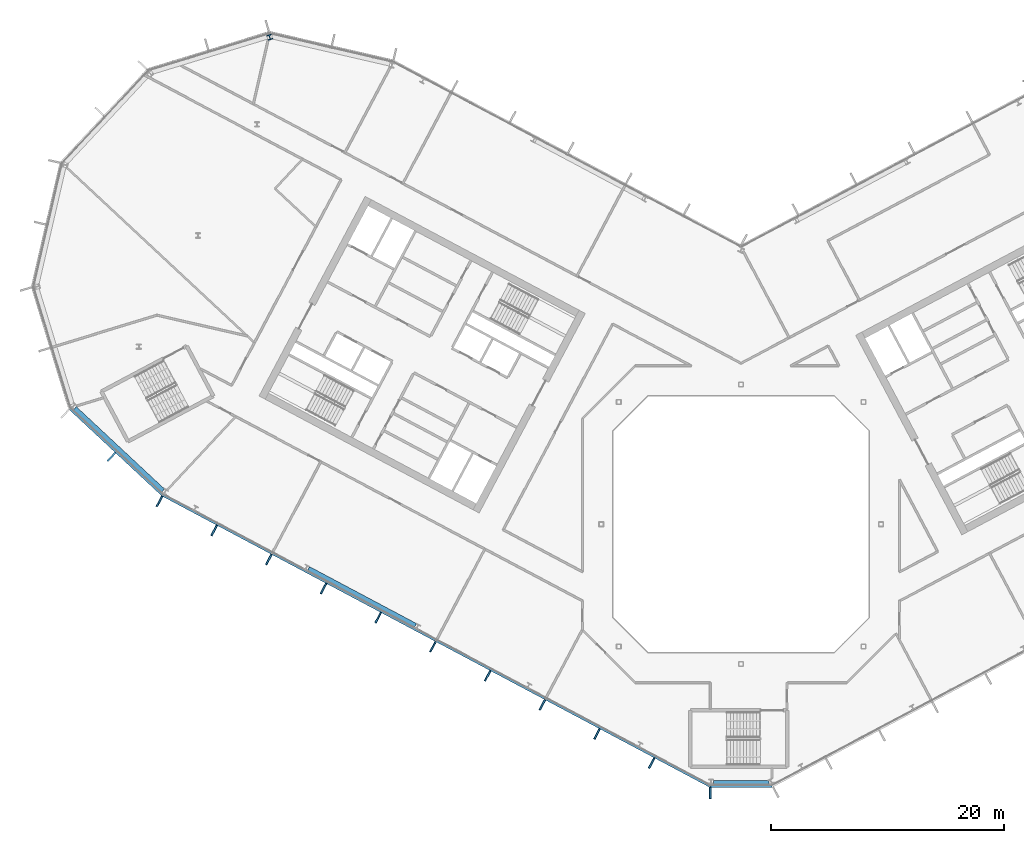
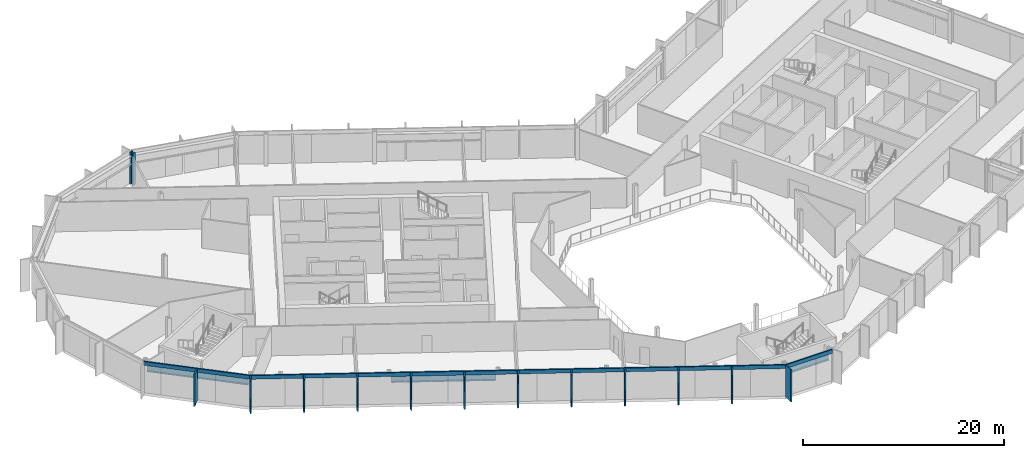
# One storey, part 8 of 26: 15 members, 3 beams, 1 column, 3 elements without a shape of their own.
"""IFC4 building model written with IfcOpenShell, lengths in metres."""

from ifc_helpers import new_model, si_unit, direction, frame, origin, origin_2d, place, context, subcontext, project, spatial, rectangle, i_section, extrude, material, layer, layer_set, material_profile, profile_set, type_object, element, aggregate, save


model = new_model("IFC4")

# Units and contexts
model_context = context("Model", 3, precision=1e-05, world=origin(), true_north=direction((0.0, 1.0)))
body_context = subcontext(model_context, "Body", "Model", "MODEL_VIEW")
ifc_project = project(units=[si_unit("LENGTHUNIT", "METRE"), si_unit("AREAUNIT", "SQUARE_METRE"), si_unit("VOLUMEUNIT", "CUBIC_METRE"), si_unit("PLANEANGLEUNIT", "RADIAN"), si_unit("MASSUNIT", "GRAM", prefix="KILO")], contexts=[model_context])

# Site, building, storey
site_placement = place(None, origin())
site = spatial("IfcSite", under=ifc_project, at=site_placement, CompositionType="ELEMENT")
building_placement = place(site_placement, origin())
building = spatial("IfcBuilding", under=site, at=building_placement, Name="Cormorant Relay Tower", CompositionType="ELEMENT")
storey_placement = place(building_placement, frame((0.0, 0.0, 228.60009765625)))
storey = spatial("IfcBuildingStorey", under=building, at=storey_placement, Name="L50", CompositionType="ELEMENT", Elevation=228.60009765625)

# Column
ifc_material_1 = material(Name="Steel ASTM A992 (Fy 345 MPa)", Category="steel")
ifc_material_profile_1 = material_profile(ifc_material_1, i_section(OverallWidth=0.41162109375, OverallDepth=0.434326171875, WebThickness=0.035888671875, FlangeThickness=0.057373046875, FilletRadius=0.01513671875, at=origin_2d()), Name="W360x463")
ifc_profile_set_1 = profile_set([ifc_material_profile_1], Name="Steel ASTM A992 (Fy 345 MPa)")
column_type = type_object("IfcColumnType", Name="Column W360x463", PredefinedType="COLUMN", material=ifc_profile_set_1)
column_placement = place(storey_placement, frame((-40.455078125, 41.803955078125, 0.0), z_axis=(0.0, 0.0, 1.0), x_axis=(-0.956304755963, -0.292371704723, 0.0)))
element("IfcColumn", 1, at=column_placement, inside=storey, type_object=column_type, Name="Column L50-045", PredefinedType="COLUMN", context=body_context, shape_type="SweptSolid", body=[
    extrude(i_section(OverallWidth=0.41162109375, OverallDepth=0.434326171875, WebThickness=0.035888671875, FlangeThickness=0.057373046875, FilletRadius=0.01513671875, at=origin_2d()), origin(), (0.0, 0.0, 1.0), 3.89990234375),
])

# Curtain wall, member
ifc_material_2 = material(Name="Aluminium 6063-T6 anodised bronze", Category="aluminium")
ifc_layer = layer(ifc_material_2, 0.199951171875)
ifc_layer_set = layer_set([ifc_layer], Name="CW1 unitised bronze curtain wall with vertical fins")
curtain_wall_type = type_object("IfcCurtainWallType", Name="CW1 unitised bronze curtain wall with vertical fins", PredefinedType="NOTDEFINED", material=ifc_layer_set)
curtain_wall_1_placement = place(storey_placement, origin())
curtain_wall_1 = element("IfcCurtainWall", 2, at=curtain_wall_1_placement, inside=storey, type_object=curtain_wall_type, Name="CW1 curtain wall 1", PredefinedType="NOTDEFINED")
ifc_material_3 = material(Name="Aluminium 6063-T6 anodised bronze", Category="aluminium")
ifc_material_profile_2 = material_profile(ifc_material_3, rectangle(XDim=0.14990234375, YDim=1.0, at=origin_2d()), Name="AL 150x1000")
ifc_profile_set_2 = profile_set([ifc_material_profile_2], Name="Aluminium 6063-T6 anodised bronze")
member_type_1 = type_object("IfcMemberType", Name="CW1 bronze fin mullion 150 x 1000", PredefinedType="MULLION", material=ifc_profile_set_2)
member_1_placement = place(storey_placement, frame((-2.648681640625, -23.07568359375, 0.0), z_axis=(0.0, 0.0, 1.0), x_axis=(1.0, 0.0, 0.0)))
member_1 = element("IfcMember", 3, at=member_1_placement, type_object=member_type_1, Name="CW1 fin 1.1", PredefinedType="MULLION", context=body_context, shape_type="SweptSolid", body=[
    extrude(rectangle(XDim=0.14990234375, YDim=1.0, at=origin_2d()), origin(), (0.0, 0.0, 1.0), 3.89990234375),
])

curtain_wall_2_placement = place(storey_placement, origin())
curtain_wall_2 = element("IfcCurtainWall", 4, at=curtain_wall_2_placement, inside=storey, type_object=curtain_wall_type, Name="CW1 curtain wall 15", PredefinedType="NOTDEFINED")
member_2_placement = place(storey_placement, frame((-54.0439453125, 5.779296875, 0.0), z_axis=(0.0, 0.0, 1.0), x_axis=(0.731353701619, -0.681998360062, 0.0)))
member_2 = element("IfcMember", 5, at=member_2_placement, type_object=member_type_1, Name="CW1 fin 15.2", PredefinedType="MULLION", context=body_context, shape_type="SweptSolid", body=[
    extrude(rectangle(XDim=0.14990234375, YDim=1.0, at=origin_2d()), origin(), (0.0, 0.0, 1.0), 3.89990234375),
])

# Curtain wall, members
curtain_wall_3_placement = place(storey_placement, origin())
curtain_wall_3 = element("IfcCurtainWall", 6, at=curtain_wall_3_placement, inside=storey, type_object=curtain_wall_type, Name="CW1 curtain wall 16", PredefinedType="NOTDEFINED")
member_3_placement = place(storey_placement, frame((-49.920166015625, 1.96630859375, 0.0), z_axis=(0.0, 0.0, 1.0), x_axis=(0.882947592859, -0.469471562786, 0.0)))
member_3 = element("IfcMember", 7, at=member_3_placement, type_object=member_type_1, Name="CW1 fin 16.1", PredefinedType="MULLION", context=body_context, shape_type="SweptSolid", body=[
    extrude(rectangle(XDim=0.14990234375, YDim=1.0, at=origin_2d()), origin(), (0.0, 0.0, 1.0), 3.89990234375),
])
member_4_placement = place(storey_placement, frame((-45.225830078125, -0.52978515625, 0.0), z_axis=(0.0, 0.0, 1.0), x_axis=(0.882947592859, -0.469471562786, 0.0)))
member_4 = element("IfcMember", 8, at=member_4_placement, type_object=member_type_1, Name="CW1 fin 16.2", PredefinedType="MULLION", context=body_context, shape_type="SweptSolid", body=[
    extrude(rectangle(XDim=0.14990234375, YDim=1.0, at=origin_2d()), origin(), (0.0, 0.0, 1.0), 3.89990234375),
])
member_5_placement = place(storey_placement, frame((-40.531494140625, -3.025634765625, 0.0), z_axis=(0.0, 0.0, 1.0), x_axis=(0.882947592859, -0.469471562786, 0.0)))
member_5 = element("IfcMember", 9, at=member_5_placement, type_object=member_type_1, Name="CW1 fin 16.3", PredefinedType="MULLION", context=body_context, shape_type="SweptSolid", body=[
    extrude(rectangle(XDim=0.14990234375, YDim=1.0, at=origin_2d()), origin(), (0.0, 0.0, 1.0), 3.89990234375),
])
member_6_placement = place(storey_placement, frame((-35.83740234375, -5.521728515625, 0.0), z_axis=(0.0, 0.0, 1.0), x_axis=(0.882947592859, -0.469471562786, 0.0)))
member_6 = element("IfcMember", 10, at=member_6_placement, type_object=member_type_1, Name="CW1 fin 16.4", PredefinedType="MULLION", context=body_context, shape_type="SweptSolid", body=[
    extrude(rectangle(XDim=0.14990234375, YDim=1.0, at=origin_2d()), origin(), (0.0, 0.0, 1.0), 3.89990234375),
])
member_7_placement = place(storey_placement, frame((-31.14306640625, -8.017578125, 0.0), z_axis=(0.0, 0.0, 1.0), x_axis=(0.882947592859, -0.469471562786, 0.0)))
member_7 = element("IfcMember", 11, at=member_7_placement, type_object=member_type_1, Name="CW1 fin 16.5", PredefinedType="MULLION", context=body_context, shape_type="SweptSolid", body=[
    extrude(rectangle(XDim=0.14990234375, YDim=1.0, at=origin_2d()), origin(), (0.0, 0.0, 1.0), 3.89990234375),
])
member_8_placement = place(storey_placement, frame((-26.44873046875, -10.513671875, 0.0), z_axis=(0.0, 0.0, 1.0), x_axis=(0.882947592859, -0.469471562786, 0.0)))
member_8 = element("IfcMember", 12, at=member_8_placement, type_object=member_type_1, Name="CW1 fin 16.6", PredefinedType="MULLION", context=body_context, shape_type="SweptSolid", body=[
    extrude(rectangle(XDim=0.14990234375, YDim=1.0, at=origin_2d()), origin(), (0.0, 0.0, 1.0), 3.89990234375),
])
member_9_placement = place(storey_placement, frame((-21.754638671875, -13.009765625, 0.0), z_axis=(0.0, 0.0, 1.0), x_axis=(0.882947592859, -0.469471562786, 0.0)))
member_9 = element("IfcMember", 13, at=member_9_placement, type_object=member_type_1, Name="CW1 fin 16.7", PredefinedType="MULLION", context=body_context, shape_type="SweptSolid", body=[
    extrude(rectangle(XDim=0.14990234375, YDim=1.0, at=origin_2d()), origin(), (0.0, 0.0, 1.0), 3.89990234375),
])
member_10_placement = place(storey_placement, frame((-17.060302734375, -15.505615234375, 0.0), z_axis=(0.0, 0.0, 1.0), x_axis=(0.882947592859, -0.469471562786, 0.0)))
member_10 = element("IfcMember", 14, at=member_10_placement, type_object=member_type_1, Name="CW1 fin 16.8", PredefinedType="MULLION", context=body_context, shape_type="SweptSolid", body=[
    extrude(rectangle(XDim=0.14990234375, YDim=1.0, at=origin_2d()), origin(), (0.0, 0.0, 1.0), 3.89990234375),
])
member_11_placement = place(storey_placement, frame((-12.365966796875, -18.001708984375, 0.0), z_axis=(0.0, 0.0, 1.0), x_axis=(0.882947592859, -0.469471562786, 0.0)))
member_11 = element("IfcMember", 15, at=member_11_placement, type_object=member_type_1, Name="CW1 fin 16.9", PredefinedType="MULLION", context=body_context, shape_type="SweptSolid", body=[
    extrude(rectangle(XDim=0.14990234375, YDim=1.0, at=origin_2d()), origin(), (0.0, 0.0, 1.0), 3.89990234375),
])
member_12_placement = place(storey_placement, frame((-7.671630859375, -20.49755859375, 0.0), z_axis=(0.0, 0.0, 1.0), x_axis=(0.882947592859, -0.469471562786, 0.0)))
member_12 = element("IfcMember", 16, at=member_12_placement, type_object=member_type_1, Name="CW1 fin 16.10", PredefinedType="MULLION", context=body_context, shape_type="SweptSolid", body=[
    extrude(rectangle(XDim=0.14990234375, YDim=1.0, at=origin_2d()), origin(), (0.0, 0.0, 1.0), 3.89990234375),
])

# Member
ifc_material_4 = material(Name="Aluminium 6063-T6 anodised bronze", Category="aluminium")
ifc_material_profile_3 = material_profile(ifc_material_4, rectangle(XDim=0.159912109375, YDim=0.449951171875, at=origin_2d()), Name="AL 160x450")
ifc_profile_set_3 = profile_set([ifc_material_profile_3], Name="Aluminium 6063-T6 anodised bronze")
member_type_2 = type_object("IfcMemberType", Name="CW1 bronze transom 160 x 450", PredefinedType="USERDEFINED", material=ifc_profile_set_3)
member_13_placement = place(storey_placement, frame((-2.648681640625, -22.49560546875, 3.6748046875), z_axis=(1.0, 0.0, 0.0), x_axis=(0.0, 1.0, 0.0)))
member_13 = element("IfcMember", 17, at=member_13_placement, type_object=member_type_2, Name="CW1 transom 1", ObjectType="TRANSOM", PredefinedType="USERDEFINED", context=body_context, shape_type="SweptSolid", body=[
    extrude(rectangle(XDim=0.159912109375, YDim=0.449951171875, at=origin_2d()), origin(), (0.0, 0.0, 1.0), 5.29736328125),
])

aggregate(curtain_wall_1, [member_1, member_13])

member_14_placement = place(storey_placement, frame((-57.62353515625, 9.91015625, 3.6748046875), z_axis=(0.731358420696, -0.681993299437, 0.0), x_axis=(0.681993299437, 0.731358420696, 0.0)))
member_14 = element("IfcMember", 18, at=member_14_placement, type_object=member_type_2, Name="CW1 transom 15", ObjectType="TRANSOM", PredefinedType="USERDEFINED", context=body_context, shape_type="SweptSolid", body=[
    extrude(rectangle(XDim=0.159912109375, YDim=0.449951171875, at=origin_2d()), origin(), (0.0, 0.0, 1.0), 10.870361328125),
])

aggregate(curtain_wall_2, [member_2, member_14])

member_15_placement = place(storey_placement, frame((-49.64794921875, 2.478515625, 3.6748046875), z_axis=(0.882947642542, -0.469471469346, 0.0), x_axis=(0.469471469346, 0.882947642542, 0.0)))
member_15 = element("IfcMember", 19, at=member_15_placement, type_object=member_type_2, Name="CW1 transom 16", ObjectType="TRANSOM", PredefinedType="USERDEFINED", context=body_context, shape_type="SweptSolid", body=[
    extrude(rectangle(XDim=0.159912109375, YDim=0.449951171875, at=origin_2d()), origin(), (0.0, 0.0, 1.0), 53.166015625),
])

aggregate(curtain_wall_3, [member_3, member_4, member_5, member_6, member_7, member_8, member_9, member_10, member_11, member_12, member_15])

# Beams
ifc_material_5 = material(Name="Steel ASTM A992 (Fy 345 MPa)", Category="steel")
ifc_material_profile_4 = material_profile(ifc_material_5, i_section(OverallWidth=0.4013671875, OverallDepth=0.990478515625, WebThickness=0.0166015625, FlangeThickness=0.031005859375, FilletRadius=0.030029296875, at=origin_2d()), Name="W1000x320")
ifc_profile_set_4 = profile_set([ifc_material_profile_4], Name="Steel ASTM A992 (Fy 345 MPa)")
beam_type = type_object("IfcBeamType", Name="Spandrel W1000x320", PredefinedType="SPANDREL", material=ifc_profile_set_4)
beam_1_placement = place(storey_placement, frame((-2.3701171875, -22.1748046875, 3.044677734375), z_axis=(1.0, 0.0, 0.0), x_axis=(0.0, 1.0, 0.0)))
element("IfcBeam", 20, at=beam_1_placement, inside=storey, type_object=beam_type, Name="Spandrel beam L50-001", PredefinedType="SPANDREL", context=body_context, shape_type="SweptSolid", body=[
    extrude(i_section(OverallWidth=0.4013671875, OverallDepth=0.990478515625, WebThickness=0.0166015625, FlangeThickness=0.031005859375, FilletRadius=0.030029296875, at=origin_2d()), origin(), (0.0, 0.0, 1.0), 4.761474609375),
])
beam_2_placement = place(storey_placement, frame((-57.19580078125, 9.94970703125, 3.044677734375), z_axis=(0.731351589689, -0.682000624824, 0.0), x_axis=(0.682000624824, 0.731351589689, 0.0)))
element("IfcBeam", 21, at=beam_2_placement, inside=storey, type_object=beam_type, Name="Spandrel beam L50-015", PredefinedType="SPANDREL", context=body_context, shape_type="SweptSolid", body=[
    extrude(i_section(OverallWidth=0.4013671875, OverallDepth=0.990478515625, WebThickness=0.0166015625, FlangeThickness=0.031005859375, FilletRadius=0.030029296875, at=origin_2d()), origin(), (0.0, 0.0, 1.0), 10.354248046875),
])
beam_3_placement = place(storey_placement, frame((-37.134033203125, -3.812255859375, 3.044677734375), z_axis=(0.882949648898, -0.469467695918, 0.0), x_axis=(0.469467695918, 0.882949648898, 0.0)))
element("IfcBeam", 22, at=beam_3_placement, inside=storey, type_object=beam_type, Name="Spandrel beam L50-016", PredefinedType="SPANDREL", context=body_context, shape_type="SweptSolid", body=[
    extrude(i_section(OverallWidth=0.4013671875, OverallDepth=0.990478515625, WebThickness=0.0166015625, FlangeThickness=0.031005859375, FilletRadius=0.030029296875, at=origin_2d()), origin(), (0.0, 0.0, 1.0), 10.39599609375),
])

save(model, "model.ifc")
